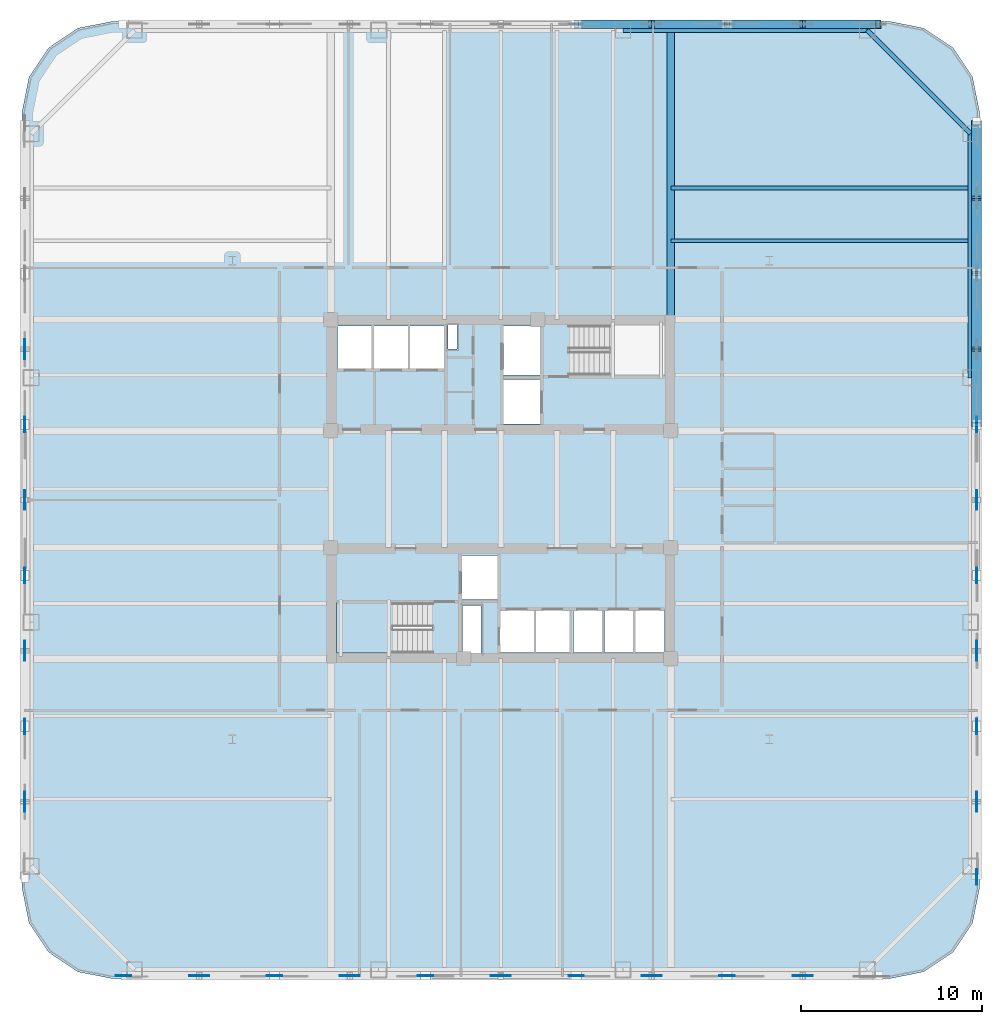
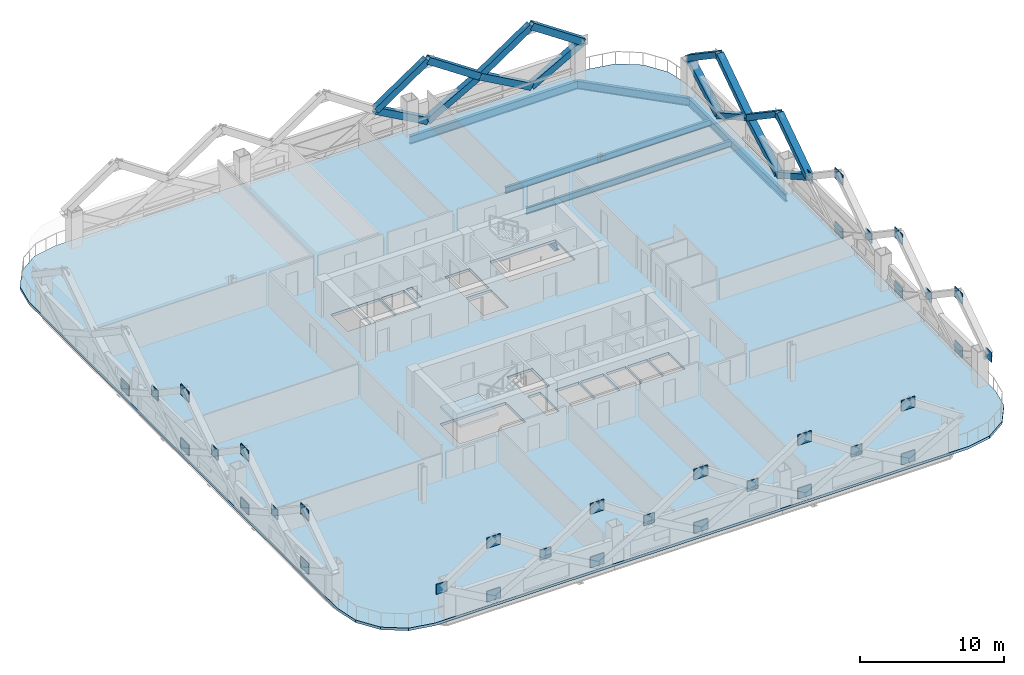
# One storey, part 3 of 14: 35 plates, 16 members, 6 beams, 2 slabs, 1 element without a shape of its own.
"""IFC4 building model written with IfcOpenShell, lengths in metres."""

from ifc_helpers import new_model, si_unit, direction, frame, origin, origin_2d, place, context, subcontext, project, spatial, polyline, rectangle, hollow_rectangle, i_section, outline, extrude, material, layer, layer_set, material_profile, profile_set, type_object, element, aggregate, save


model = new_model("IFC4")

# Units and contexts
model_context = context("Model", 3, precision=1e-05, world=origin(), true_north=direction((0.0, 1.0)))
body_context = subcontext(model_context, "Body", "Model", "MODEL_VIEW")
ifc_project = project(units=[si_unit("LENGTHUNIT", "METRE"), si_unit("AREAUNIT", "SQUARE_METRE"), si_unit("VOLUMEUNIT", "CUBIC_METRE"), si_unit("PLANEANGLEUNIT", "RADIAN"), si_unit("MASSUNIT", "GRAM", prefix="KILO")], contexts=[model_context])

# Site, building, storey
site_placement = place(None, origin())
site = spatial("IfcSite", under=ifc_project, at=site_placement, CompositionType="ELEMENT")
building_placement = place(site_placement, origin())
building = spatial("IfcBuilding", under=site, at=building_placement, Name="Qhalaya Broadcast Tower", CompositionType="ELEMENT")
storey_placement = place(building_placement, frame((0.0, 0.0, 38.300048828125)))
storey = spatial("IfcBuildingStorey", under=building, at=storey_placement, Name="L10", CompositionType="ELEMENT", Elevation=38.300048828125)

# Beams
ifc_material_1 = material(Name="Structural Steel ASTM A992 Grade 50", Category="steel")
ifc_material_profile_1 = material_profile(ifc_material_1, i_section(OverallWidth=0.2099609375, OverallDepth=0.535888671875, WebThickness=0.010986328125, FlangeThickness=0.017333984375, at=origin_2d()), Name="W21X68")
ifc_profile_set_1 = profile_set([ifc_material_profile_1], Name="Structural Steel ASTM A992 Grade 50")
beam_type_1 = type_object("IfcBeamType", Name="Composite Floor Joist J02", PredefinedType="JOIST", material=ifc_profile_set_1)
for number, where, z_axis, x_axis, name in (
    (1, (9.375, 14.300048828125, -0.488037109375), (1.0, 0.0, 0.0), (0.0, 1.0, 0.0), "L10 J02 L10-JWE6E-1"),
    (2, (9.375, 17.199951171875, -0.488037109375), (1.0, 0.0, 0.0), (0.0, 1.0, 0.0), "L10 J02 L10-JWE7E-1"),
):
    element("IfcBeam", number, at=place(storey_placement, frame(where, z_axis=z_axis, x_axis=x_axis)), inside=storey, type_object=beam_type_1, Name=name, PredefinedType="JOIST", context=body_context, shape_type="SweptSolid", body=[
        extrude(i_section(OverallWidth=0.2099609375, OverallDepth=0.535888671875, WebThickness=0.010986328125, FlangeThickness=0.017333984375, at=origin_2d()), origin(), (0.0, 0.0, 1.0), 16.5048828125),
    ])

# Members
ifc_material_2 = material(Name="Structural Steel ASTM A572 Grade 50", Category="steel")
ifc_material_profile_2 = material_profile(ifc_material_2, hollow_rectangle(XDim=0.449951171875, YDim=0.550048828125, WallThickness=0.031982421875, at=origin_2d()), Name="BOX 450x550x32")
ifc_profile_set_2 = profile_set([ifc_material_profile_2], Name="Structural Steel ASTM A572 Grade 50")
member_type = type_object("IfcMemberType", Name="Exoskeleton Diamond Diagonal Lower EX1", PredefinedType="BRACE", material=ifc_profile_set_2)
member_1_placement = place(storey_placement, frame((26.239990234375, 8.320068359375, 0.35986328125), z_axis=(0.0, -0.872471089532, 0.488665732306), x_axis=(0.0, 0.488665732306, 0.872471089532)))
element("IfcMember", 3, at=member_1_placement, inside=storey, type_object=member_type, Name="B1 Exoskeleton Diamond Brace E4-D1", PredefinedType="BRACE", context=body_context, shape_type="SweptSolid", body=[
    extrude(hollow_rectangle(XDim=0.449951171875, YDim=0.550048828125, WallThickness=0.031982421875, at=origin_2d()), origin(), (0.0, 0.0, 1.0), 4.768310546875),
])
member_2_placement = place(storey_placement, frame((26.239990234375, 8.320068359375, 0.35986328125), z_axis=(0.0, 0.872458862126, 0.488687562658), x_axis=(0.0, -0.488687562658, 0.872458862126)))
element("IfcMember", 4, at=member_2_placement, inside=storey, type_object=member_type, Name="B1 Exoskeleton Diamond Brace E4-D2", PredefinedType="BRACE", context=body_context, shape_type="SweptSolid", body=[
    extrude(hollow_rectangle(XDim=0.449951171875, YDim=0.550048828125, WallThickness=0.031982421875, at=origin_2d()), origin(), (0.0, 0.0, 1.0), 4.76806640625),
])
member_3_placement = place(storey_placement, frame((26.239990234375, 4.159912109375, 2.68994140625), z_axis=(0.0, 0.828668223168, 0.559740096752), x_axis=(0.0, -0.559740096752, 0.828668223168)))
element("IfcMember", 5, at=member_3_placement, inside=storey, type_object=member_type, Name="B1 Exoskeleton Diamond Brace E4-D3", PredefinedType="BRACE", context=body_context, shape_type="SweptSolid", body=[
    extrude(hollow_rectangle(XDim=0.449951171875, YDim=0.550048828125, WallThickness=0.031982421875, at=origin_2d()), origin(), (0.0, 0.0, 1.0), 5.020263671875),
])
member_4_placement = place(storey_placement, frame((26.239990234375, 12.47998046875, 2.68994140625), z_axis=(0.0, -0.828652985792, 0.559762654291), x_axis=(0.0, 0.559762654291, 0.828652985792)))
element("IfcMember", 6, at=member_4_placement, inside=storey, type_object=member_type, Name="B1 Exoskeleton Diamond Brace E4-D4", PredefinedType="BRACE", context=body_context, shape_type="SweptSolid", body=[
    extrude(hollow_rectangle(XDim=0.449951171875, YDim=0.550048828125, WallThickness=0.031982421875, at=origin_2d()), origin(), (0.0, 0.0, 1.0), 5.02001953125),
])
member_5_placement = place(storey_placement, frame((26.239990234375, 16.639892578125, 0.35986328125), z_axis=(0.0, -0.872458862126, 0.488687562658), x_axis=(0.0, 0.488687562658, 0.872458862126)))
element("IfcMember", 7, at=member_5_placement, inside=storey, type_object=member_type, Name="B1 Exoskeleton Diamond Brace E5-D1", PredefinedType="BRACE", context=body_context, shape_type="SweptSolid", body=[
    extrude(hollow_rectangle(XDim=0.449951171875, YDim=0.550048828125, WallThickness=0.031982421875, at=origin_2d()), origin(), (0.0, 0.0, 1.0), 4.76806640625),
])
member_6_placement = place(storey_placement, frame((26.239990234375, 16.639892578125, 0.35986328125), z_axis=(0.0, 0.872471089532, 0.488665732306), x_axis=(0.0, -0.488665732306, 0.872471089532)))
element("IfcMember", 8, at=member_6_placement, inside=storey, type_object=member_type, Name="B1 Exoskeleton Diamond Brace E5-D2", PredefinedType="BRACE", context=body_context, shape_type="SweptSolid", body=[
    extrude(hollow_rectangle(XDim=0.449951171875, YDim=0.550048828125, WallThickness=0.031982421875, at=origin_2d()), origin(), (0.0, 0.0, 1.0), 4.768310546875),
])
member_7_placement = place(storey_placement, frame((26.239990234375, 12.47998046875, 2.68994140625), z_axis=(0.0, 0.828652985792, 0.559762654291), x_axis=(0.0, -0.559762654291, 0.828652985792)))
element("IfcMember", 9, at=member_7_placement, inside=storey, type_object=member_type, Name="B1 Exoskeleton Diamond Brace E5-D3", PredefinedType="BRACE", context=body_context, shape_type="SweptSolid", body=[
    extrude(hollow_rectangle(XDim=0.449951171875, YDim=0.550048828125, WallThickness=0.031982421875, at=origin_2d()), origin(), (0.0, 0.0, 1.0), 5.02001953125),
])
member_8_placement = place(storey_placement, frame((26.239990234375, 20.800048828125, 2.68994140625), z_axis=(0.0, -0.828668223168, 0.559740096752), x_axis=(0.0, 0.559740096752, 0.828668223168)))
element("IfcMember", 10, at=member_8_placement, inside=storey, type_object=member_type, Name="B1 Exoskeleton Diamond Brace E5-D4", PredefinedType="BRACE", context=body_context, shape_type="SweptSolid", body=[
    extrude(hollow_rectangle(XDim=0.449951171875, YDim=0.550048828125, WallThickness=0.031982421875, at=origin_2d()), origin(), (0.0, 0.0, 1.0), 5.020263671875),
])
member_9_placement = place(storey_placement, frame((16.639892578125, 26.239990234375, 0.35986328125), z_axis=(0.872471089532, 0.0, 0.488665732306), x_axis=(0.0, 1.0, 0.0)))
element("IfcMember", 11, at=member_9_placement, inside=storey, type_object=member_type, Name="B1 Exoskeleton Diamond Brace N1-D1", PredefinedType="BRACE", context=body_context, shape_type="SweptSolid", body=[
    extrude(hollow_rectangle(XDim=0.449951171875, YDim=0.550048828125, WallThickness=0.031982421875, at=origin_2d()), origin(), (0.0, 0.0, 1.0), 4.768310546875),
])
member_10_placement = place(storey_placement, frame((16.639892578125, 26.239990234375, 0.35986328125), z_axis=(-0.872458862126, 0.0, 0.488687562658), x_axis=(0.0, -1.0, 0.0)))
element("IfcMember", 12, at=member_10_placement, inside=storey, type_object=member_type, Name="B1 Exoskeleton Diamond Brace N1-D2", PredefinedType="BRACE", context=body_context, shape_type="SweptSolid", body=[
    extrude(hollow_rectangle(XDim=0.449951171875, YDim=0.550048828125, WallThickness=0.031982421875, at=origin_2d()), origin(), (0.0, 0.0, 1.0), 4.76806640625),
])
member_11_placement = place(storey_placement, frame((20.800048828125, 26.239990234375, 2.68994140625), z_axis=(-0.828668223168, 0.0, 0.559740096752), x_axis=(0.0, -1.0, 0.0)))
element("IfcMember", 13, at=member_11_placement, inside=storey, type_object=member_type, Name="B1 Exoskeleton Diamond Brace N1-D3", PredefinedType="BRACE", context=body_context, shape_type="SweptSolid", body=[
    extrude(hollow_rectangle(XDim=0.449951171875, YDim=0.550048828125, WallThickness=0.031982421875, at=origin_2d()), origin(), (0.0, 0.0, 1.0), 5.020263671875),
])
member_12_placement = place(storey_placement, frame((12.47998046875, 26.239990234375, 2.68994140625), z_axis=(0.828652985792, 0.0, 0.559762654291), x_axis=(0.0, 1.0, 0.0)))
element("IfcMember", 14, at=member_12_placement, inside=storey, type_object=member_type, Name="B1 Exoskeleton Diamond Brace N1-D4", PredefinedType="BRACE", context=body_context, shape_type="SweptSolid", body=[
    extrude(hollow_rectangle(XDim=0.449951171875, YDim=0.550048828125, WallThickness=0.031982421875, at=origin_2d()), origin(), (0.0, 0.0, 1.0), 5.02001953125),
])
member_13_placement = place(storey_placement, frame((8.320068359375, 26.239990234375, 0.35986328125), z_axis=(0.872458862126, 0.0, 0.488687562658), x_axis=(0.0, 1.0, 0.0)))
element("IfcMember", 15, at=member_13_placement, inside=storey, type_object=member_type, Name="B1 Exoskeleton Diamond Brace N2-D1", PredefinedType="BRACE", context=body_context, shape_type="SweptSolid", body=[
    extrude(hollow_rectangle(XDim=0.449951171875, YDim=0.550048828125, WallThickness=0.031982421875, at=origin_2d()), origin(), (0.0, 0.0, 1.0), 4.76806640625),
])
member_14_placement = place(storey_placement, frame((8.320068359375, 26.239990234375, 0.35986328125), z_axis=(-0.872471089532, 0.0, 0.488665732306), x_axis=(0.0, -1.0, 0.0)))
element("IfcMember", 16, at=member_14_placement, inside=storey, type_object=member_type, Name="B1 Exoskeleton Diamond Brace N2-D2", PredefinedType="BRACE", context=body_context, shape_type="SweptSolid", body=[
    extrude(hollow_rectangle(XDim=0.449951171875, YDim=0.550048828125, WallThickness=0.031982421875, at=origin_2d()), origin(), (0.0, 0.0, 1.0), 4.768310546875),
])
member_15_placement = place(storey_placement, frame((12.47998046875, 26.239990234375, 2.68994140625), z_axis=(-0.828652985792, 0.0, 0.559762654291), x_axis=(0.0, -1.0, 0.0)))
element("IfcMember", 17, at=member_15_placement, inside=storey, type_object=member_type, Name="B1 Exoskeleton Diamond Brace N2-D3", PredefinedType="BRACE", context=body_context, shape_type="SweptSolid", body=[
    extrude(hollow_rectangle(XDim=0.449951171875, YDim=0.550048828125, WallThickness=0.031982421875, at=origin_2d()), origin(), (0.0, 0.0, 1.0), 5.02001953125),
])
member_16_placement = place(storey_placement, frame((4.159912109375, 26.239990234375, 2.68994140625), z_axis=(0.828668223168, 0.0, 0.559740096752), x_axis=(0.0, 1.0, 0.0)))
element("IfcMember", 18, at=member_16_placement, inside=storey, type_object=member_type, Name="B1 Exoskeleton Diamond Brace N2-D4", PredefinedType="BRACE", context=body_context, shape_type="SweptSolid", body=[
    extrude(hollow_rectangle(XDim=0.449951171875, YDim=0.550048828125, WallThickness=0.031982421875, at=origin_2d()), origin(), (0.0, 0.0, 1.0), 5.020263671875),
])

# Beams
ifc_material_profile_3 = material_profile(ifc_material_1, i_section(OverallWidth=0.40087890625, OverallDepth=1.010986328125, WebThickness=0.023681640625, FlangeThickness=0.0419921875, at=origin_2d()), Name="W40X297")
ifc_profile_set_3 = profile_set([ifc_material_profile_3], Name="Structural Steel ASTM A992 Grade 50")
beam_type_2 = type_object("IfcBeamType", Name="Lower Block Primary Girder PG2", PredefinedType="USERDEFINED", material=ifc_profile_set_3)
beam_1_placement = place(storey_placement, frame((9.375, 9.949951171875, -0.7255859375), z_axis=(0.0, 1.0, 0.0), x_axis=(-1.0, 0.0, 0.0)))
element("IfcBeam", 19, at=beam_1_placement, inside=storey, type_object=beam_type_2, Name="L10 PG2 L10-PGXN2-1", ObjectType="GIRDER", PredefinedType="USERDEFINED", context=body_context, shape_type="SweptSolid", body=[
    extrude(i_section(OverallWidth=0.40087890625, OverallDepth=1.010986328125, WebThickness=0.023681640625, FlangeThickness=0.0419921875, at=origin_2d()), origin(), (0.0, 0.0, 1.0), 15.929931640625),
])
ifc_material_profile_4 = material_profile(ifc_material_1, i_section(OverallWidth=0.25390625, OverallDepth=0.68310546875, WebThickness=0.012451171875, FlangeThickness=0.01904296875, at=origin_2d()), Name="W27X94")
ifc_profile_set_4 = profile_set([ifc_material_profile_4], Name="Structural Steel ASTM A992 Grade 50")
beam_type_3 = type_object("IfcBeamType", Name="Perimeter Ring Spandrel Beam SP1", PredefinedType="SPANDREL", material=ifc_profile_set_4)
beam_2_placement = place(storey_placement, frame((25.89990234375, 6.7333984375, -0.5615234375), z_axis=(0.0, 1.0, 0.0), x_axis=(-1.0, 0.0, 0.0)))
element("IfcBeam", 20, at=beam_2_placement, inside=storey, type_object=beam_type_3, Name="L10 SP1 L10-SPR-07", PredefinedType="SPANDREL", context=body_context, shape_type="SweptSolid", body=[
    extrude(i_section(OverallWidth=0.25390625, OverallDepth=0.68310546875, WebThickness=0.012451171875, FlangeThickness=0.01904296875, at=origin_2d()), origin(), (0.0, 0.0, 1.0), 13.466552734375),
])
beam_3_placement = place(storey_placement, frame((25.89990234375, 20.199951171875, -0.5615234375), z_axis=(-0.707106781187, 0.707106781187, 0.0), x_axis=(-0.707106781187, -0.707106781187, 0.0)))
element("IfcBeam", 21, at=beam_3_placement, inside=storey, type_object=beam_type_3, Name="L10 SP1 L10-SPR-08", PredefinedType="SPANDREL", context=body_context, shape_type="SweptSolid", body=[
    extrude(i_section(OverallWidth=0.25390625, OverallDepth=0.68310546875, WebThickness=0.012451171875, FlangeThickness=0.01904296875, at=origin_2d()), origin(), (0.0, 0.0, 1.0), 8.06103515625),
])
beam_4_placement = place(storey_placement, frame((20.199951171875, 25.89990234375, -0.5615234375), z_axis=(-1.0, 0.0, 0.0), x_axis=(0.0, -1.0, 0.0)))
element("IfcBeam", 22, at=beam_4_placement, inside=storey, type_object=beam_type_3, Name="L10 SP1 L10-SPR-09", PredefinedType="SPANDREL", context=body_context, shape_type="SweptSolid", body=[
    extrude(i_section(OverallWidth=0.25390625, OverallDepth=0.68310546875, WebThickness=0.012451171875, FlangeThickness=0.01904296875, at=origin_2d()), origin(), (0.0, 0.0, 1.0), 13.466552734375),
])

# Plates
ifc_layer_1 = layer(ifc_material_2, 0.054931640625, Name="Structural Steel ASTM A572 Grade 50")
ifc_layer_set_1 = layer_set([ifc_layer_1], Name="Structural Steel ASTM A572 Grade 50")
plate_type = type_object("IfcPlateType", Name="Exoskeleton Diamond Node Gusset Plate NP-01", PredefinedType="USERDEFINED", material=ifc_layer_set_1)
for number, where, z_axis, x_axis, name in (
    (23, (-16.639892578125, -26.239990234375, 0.2099609375), (0.0, 0.0, 1.0), (1.0, 0.0, 0.0), "Exoskeleton Diamond Node B1-S1-BOT"),
    (24, (-16.639892578125, -26.239990234375, 4.75), (0.0, 0.0, 1.0), (1.0, 0.0, 0.0), "Exoskeleton Diamond Node B1-S1-TOP"),
):
    element("IfcPlate", number, at=place(storey_placement, frame(where, z_axis=z_axis, x_axis=x_axis)), inside=storey, type_object=plate_type, Name=name, ObjectType="GUSSET_PLATE", PredefinedType="USERDEFINED", context=body_context, shape_type="SweptSolid", body=[
        extrude(rectangle(XDim=1.10009765625, YDim=0.054931640625, at=origin_2d()), origin(), (0.0, 0.0, 1.0), 0.89990234375),
    ])
plate_1_placement = place(storey_placement, frame((-20.800048828125, -26.239990234375, 2.264892578125), z_axis=(0.0, 0.0, 1.0), x_axis=(1.0, 0.0, 0.0)))
element("IfcPlate", 25, at=plate_1_placement, inside=storey, type_object=plate_type, Name="Exoskeleton Diamond Node B1-S1-MDL", ObjectType="GUSSET_PLATE", PredefinedType="USERDEFINED", context=body_context, shape_type="SweptSolid", body=[
    extrude(rectangle(XDim=0.85009765625, YDim=0.054931640625, at=origin_2d()), origin(), (0.0, 0.0, 1.0), 0.85009765625),
])
for number, where, z_axis, x_axis, name in (
    (26, (-8.320068359375, -26.239990234375, 0.2099609375), (0.0, 0.0, 1.0), (1.0, 0.0, 0.0), "Exoskeleton Diamond Node B1-S2-BOT"),
    (27, (-8.320068359375, -26.239990234375, 4.75), (0.0, 0.0, 1.0), (1.0, 0.0, 0.0), "Exoskeleton Diamond Node B1-S2-TOP"),
):
    element("IfcPlate", number, at=place(storey_placement, frame(where, z_axis=z_axis, x_axis=x_axis)), inside=storey, type_object=plate_type, Name=name, ObjectType="GUSSET_PLATE", PredefinedType="USERDEFINED", context=body_context, shape_type="SweptSolid", body=[
        extrude(rectangle(XDim=1.10009765625, YDim=0.054931640625, at=origin_2d()), origin(), (0.0, 0.0, 1.0), 0.89990234375),
    ])
plate_2_placement = place(storey_placement, frame((-12.47998046875, -26.239990234375, 2.264892578125), z_axis=(0.0, 0.0, 1.0), x_axis=(1.0, 0.0, 0.0)))
element("IfcPlate", 28, at=plate_2_placement, inside=storey, type_object=plate_type, Name="Exoskeleton Diamond Node B1-S2-MDL", ObjectType="GUSSET_PLATE", PredefinedType="USERDEFINED", context=body_context, shape_type="SweptSolid", body=[
    extrude(rectangle(XDim=0.85009765625, YDim=0.054931640625, at=origin_2d()), origin(), (0.0, 0.0, 1.0), 0.85009765625),
])
for number, where, z_axis, x_axis, name in (
    (29, (0.0, -26.239990234375, 0.2099609375), (0.0, 0.0, 1.0), (1.0, 0.0, 0.0), "Exoskeleton Diamond Node B1-S3-BOT"),
    (30, (0.0, -26.239990234375, 4.75), (0.0, 0.0, 1.0), (1.0, 0.0, 0.0), "Exoskeleton Diamond Node B1-S3-TOP"),
):
    element("IfcPlate", number, at=place(storey_placement, frame(where, z_axis=z_axis, x_axis=x_axis)), inside=storey, type_object=plate_type, Name=name, ObjectType="GUSSET_PLATE", PredefinedType="USERDEFINED", context=body_context, shape_type="SweptSolid", body=[
        extrude(rectangle(XDim=1.10009765625, YDim=0.054931640625, at=origin_2d()), origin(), (0.0, 0.0, 1.0), 0.89990234375),
    ])
plate_3_placement = place(storey_placement, frame((-4.159912109375, -26.239990234375, 2.264892578125), z_axis=(0.0, 0.0, 1.0), x_axis=(1.0, 0.0, 0.0)))
element("IfcPlate", 31, at=plate_3_placement, inside=storey, type_object=plate_type, Name="Exoskeleton Diamond Node B1-S3-MDL", ObjectType="GUSSET_PLATE", PredefinedType="USERDEFINED", context=body_context, shape_type="SweptSolid", body=[
    extrude(rectangle(XDim=0.85009765625, YDim=0.054931640625, at=origin_2d()), origin(), (0.0, 0.0, 1.0), 0.85009765625),
])
for number, where, z_axis, x_axis, name in (
    (32, (8.320068359375, -26.239990234375, 0.2099609375), (0.0, 0.0, 1.0), (1.0, 0.0, 0.0), "Exoskeleton Diamond Node B1-S4-BOT"),
    (33, (8.320068359375, -26.239990234375, 4.75), (0.0, 0.0, 1.0), (1.0, 0.0, 0.0), "Exoskeleton Diamond Node B1-S4-TOP"),
):
    element("IfcPlate", number, at=place(storey_placement, frame(where, z_axis=z_axis, x_axis=x_axis)), inside=storey, type_object=plate_type, Name=name, ObjectType="GUSSET_PLATE", PredefinedType="USERDEFINED", context=body_context, shape_type="SweptSolid", body=[
        extrude(rectangle(XDim=1.10009765625, YDim=0.054931640625, at=origin_2d()), origin(), (0.0, 0.0, 1.0), 0.89990234375),
    ])
plate_4_placement = place(storey_placement, frame((4.159912109375, -26.239990234375, 2.264892578125), z_axis=(0.0, 0.0, 1.0), x_axis=(1.0, 0.0, 0.0)))
element("IfcPlate", 34, at=plate_4_placement, inside=storey, type_object=plate_type, Name="Exoskeleton Diamond Node B1-S4-MDL", ObjectType="GUSSET_PLATE", PredefinedType="USERDEFINED", context=body_context, shape_type="SweptSolid", body=[
    extrude(rectangle(XDim=0.85009765625, YDim=0.054931640625, at=origin_2d()), origin(), (0.0, 0.0, 1.0), 0.85009765625),
])
for number, where, z_axis, x_axis, name in (
    (35, (16.639892578125, -26.239990234375, 0.2099609375), (0.0, 0.0, 1.0), (1.0, 0.0, 0.0), "Exoskeleton Diamond Node B1-S5-BOT"),
    (36, (16.639892578125, -26.239990234375, 4.75), (0.0, 0.0, 1.0), (1.0, 0.0, 0.0), "Exoskeleton Diamond Node B1-S5-TOP"),
):
    element("IfcPlate", number, at=place(storey_placement, frame(where, z_axis=z_axis, x_axis=x_axis)), inside=storey, type_object=plate_type, Name=name, ObjectType="GUSSET_PLATE", PredefinedType="USERDEFINED", context=body_context, shape_type="SweptSolid", body=[
        extrude(rectangle(XDim=1.10009765625, YDim=0.054931640625, at=origin_2d()), origin(), (0.0, 0.0, 1.0), 0.89990234375),
    ])
plate_5_placement = place(storey_placement, frame((12.47998046875, -26.239990234375, 2.264892578125), z_axis=(0.0, 0.0, 1.0), x_axis=(1.0, 0.0, 0.0)))
element("IfcPlate", 37, at=plate_5_placement, inside=storey, type_object=plate_type, Name="Exoskeleton Diamond Node B1-S5-MDL", ObjectType="GUSSET_PLATE", PredefinedType="USERDEFINED", context=body_context, shape_type="SweptSolid", body=[
    extrude(rectangle(XDim=0.85009765625, YDim=0.054931640625, at=origin_2d()), origin(), (0.0, 0.0, 1.0), 0.85009765625),
])
for number, where, z_axis, x_axis, name in (
    (38, (26.239990234375, -16.639892578125, 0.2099609375), (0.0, 0.0, 1.0), (0.0, 1.0, 0.0), "Exoskeleton Diamond Node B1-E1-BOT"),
    (39, (26.239990234375, -16.639892578125, 4.75), (0.0, 0.0, 1.0), (0.0, 1.0, 0.0), "Exoskeleton Diamond Node B1-E1-TOP"),
):
    element("IfcPlate", number, at=place(storey_placement, frame(where, z_axis=z_axis, x_axis=x_axis)), inside=storey, type_object=plate_type, Name=name, ObjectType="GUSSET_PLATE", PredefinedType="USERDEFINED", context=body_context, shape_type="SweptSolid", body=[
        extrude(rectangle(XDim=1.10009765625, YDim=0.054931640625, at=origin_2d()), origin(), (0.0, 0.0, 1.0), 0.89990234375),
    ])
plate_6_placement = place(storey_placement, frame((26.239990234375, -20.800048828125, 2.264892578125), z_axis=(0.0, 0.0, 1.0), x_axis=(0.0, 1.0, 0.0)))
element("IfcPlate", 40, at=plate_6_placement, inside=storey, type_object=plate_type, Name="Exoskeleton Diamond Node B1-E1-MDL", ObjectType="GUSSET_PLATE", PredefinedType="USERDEFINED", context=body_context, shape_type="SweptSolid", body=[
    extrude(rectangle(XDim=0.85009765625, YDim=0.054931640625, at=origin_2d()), origin(), (0.0, 0.0, 1.0), 0.85009765625),
])
for number, where, z_axis, x_axis, name in (
    (41, (26.239990234375, -8.320068359375, 0.2099609375), (0.0, 0.0, 1.0), (0.0, 1.0, 0.0), "Exoskeleton Diamond Node B1-E2-BOT"),
    (42, (26.239990234375, -8.320068359375, 4.75), (0.0, 0.0, 1.0), (0.0, 1.0, 0.0), "Exoskeleton Diamond Node B1-E2-TOP"),
):
    element("IfcPlate", number, at=place(storey_placement, frame(where, z_axis=z_axis, x_axis=x_axis)), inside=storey, type_object=plate_type, Name=name, ObjectType="GUSSET_PLATE", PredefinedType="USERDEFINED", context=body_context, shape_type="SweptSolid", body=[
        extrude(rectangle(XDim=1.10009765625, YDim=0.054931640625, at=origin_2d()), origin(), (0.0, 0.0, 1.0), 0.89990234375),
    ])
plate_7_placement = place(storey_placement, frame((26.239990234375, -12.47998046875, 2.264892578125), z_axis=(0.0, 0.0, 1.0), x_axis=(0.0, 1.0, 0.0)))
element("IfcPlate", 43, at=plate_7_placement, inside=storey, type_object=plate_type, Name="Exoskeleton Diamond Node B1-E2-MDL", ObjectType="GUSSET_PLATE", PredefinedType="USERDEFINED", context=body_context, shape_type="SweptSolid", body=[
    extrude(rectangle(XDim=0.85009765625, YDim=0.054931640625, at=origin_2d()), origin(), (0.0, 0.0, 1.0), 0.85009765625),
])
for number, where, z_axis, x_axis, name in (
    (44, (26.239990234375, 0.0, 0.2099609375), (0.0, 0.0, 1.0), (0.0, 1.0, 0.0), "Exoskeleton Diamond Node B1-E3-BOT"),
    (45, (26.239990234375, 0.0, 4.75), (0.0, 0.0, 1.0), (0.0, 1.0, 0.0), "Exoskeleton Diamond Node B1-E3-TOP"),
):
    element("IfcPlate", number, at=place(storey_placement, frame(where, z_axis=z_axis, x_axis=x_axis)), inside=storey, type_object=plate_type, Name=name, ObjectType="GUSSET_PLATE", PredefinedType="USERDEFINED", context=body_context, shape_type="SweptSolid", body=[
        extrude(rectangle(XDim=1.10009765625, YDim=0.054931640625, at=origin_2d()), origin(), (0.0, 0.0, 1.0), 0.89990234375),
    ])
for number, where, z_axis, x_axis, name in (
    (46, (26.239990234375, -4.159912109375, 2.264892578125), (0.0, 0.0, 1.0), (0.0, 1.0, 0.0), "Exoskeleton Diamond Node B1-E3-MDL"),
    (47, (26.239990234375, 4.159912109375, 2.264892578125), (0.0, 0.0, 1.0), (0.0, 1.0, 0.0), "Exoskeleton Diamond Node B1-E4-MDL"),
):
    element("IfcPlate", number, at=place(storey_placement, frame(where, z_axis=z_axis, x_axis=x_axis)), inside=storey, type_object=plate_type, Name=name, ObjectType="GUSSET_PLATE", PredefinedType="USERDEFINED", context=body_context, shape_type="SweptSolid", body=[
        extrude(rectangle(XDim=0.85009765625, YDim=0.054931640625, at=origin_2d()), origin(), (0.0, 0.0, 1.0), 0.85009765625),
    ])
for number, where, z_axis, x_axis, name in (
    (48, (-26.239990234375, 8.320068359375, 0.2099609375), (0.0, 0.0, 1.0), (0.0, 1.0, 0.0), "Exoskeleton Diamond Node B1-W2-BOT"),
    (49, (-26.239990234375, 0.0, 0.2099609375), (0.0, 0.0, 1.0), (0.0, 1.0, 0.0), "Exoskeleton Diamond Node B1-W3-BOT"),
    (50, (-26.239990234375, 0.0, 4.75), (0.0, 0.0, 1.0), (0.0, 1.0, 0.0), "Exoskeleton Diamond Node B1-W3-TOP"),
):
    element("IfcPlate", number, at=place(storey_placement, frame(where, z_axis=z_axis, x_axis=x_axis)), inside=storey, type_object=plate_type, Name=name, ObjectType="GUSSET_PLATE", PredefinedType="USERDEFINED", context=body_context, shape_type="SweptSolid", body=[
        extrude(rectangle(XDim=1.10009765625, YDim=0.054931640625, at=origin_2d()), origin(), (0.0, 0.0, 1.0), 0.89990234375),
    ])
plate_8_placement = place(storey_placement, frame((-26.239990234375, 4.159912109375, 2.264892578125), z_axis=(0.0, 0.0, 1.0), x_axis=(0.0, 1.0, 0.0)))
element("IfcPlate", 51, at=plate_8_placement, inside=storey, type_object=plate_type, Name="Exoskeleton Diamond Node B1-W3-MDL", ObjectType="GUSSET_PLATE", PredefinedType="USERDEFINED", context=body_context, shape_type="SweptSolid", body=[
    extrude(rectangle(XDim=0.85009765625, YDim=0.054931640625, at=origin_2d()), origin(), (0.0, 0.0, 1.0), 0.85009765625),
])
for number, where, z_axis, x_axis, name in (
    (52, (-26.239990234375, -8.320068359375, 0.2099609375), (0.0, 0.0, 1.0), (0.0, 1.0, 0.0), "Exoskeleton Diamond Node B1-W4-BOT"),
    (53, (-26.239990234375, -8.320068359375, 4.75), (0.0, 0.0, 1.0), (0.0, 1.0, 0.0), "Exoskeleton Diamond Node B1-W4-TOP"),
):
    element("IfcPlate", number, at=place(storey_placement, frame(where, z_axis=z_axis, x_axis=x_axis)), inside=storey, type_object=plate_type, Name=name, ObjectType="GUSSET_PLATE", PredefinedType="USERDEFINED", context=body_context, shape_type="SweptSolid", body=[
        extrude(rectangle(XDim=1.10009765625, YDim=0.054931640625, at=origin_2d()), origin(), (0.0, 0.0, 1.0), 0.89990234375),
    ])
plate_9_placement = place(storey_placement, frame((-26.239990234375, -4.159912109375, 2.264892578125), z_axis=(0.0, 0.0, 1.0), x_axis=(0.0, 1.0, 0.0)))
element("IfcPlate", 54, at=plate_9_placement, inside=storey, type_object=plate_type, Name="Exoskeleton Diamond Node B1-W4-MDL", ObjectType="GUSSET_PLATE", PredefinedType="USERDEFINED", context=body_context, shape_type="SweptSolid", body=[
    extrude(rectangle(XDim=0.85009765625, YDim=0.054931640625, at=origin_2d()), origin(), (0.0, 0.0, 1.0), 0.85009765625),
])
for number, where, z_axis, x_axis, name in (
    (55, (-26.239990234375, -16.639892578125, 0.2099609375), (0.0, 0.0, 1.0), (0.0, 1.0, 0.0), "Exoskeleton Diamond Node B1-W5-BOT"),
    (56, (-26.239990234375, -16.639892578125, 4.75), (0.0, 0.0, 1.0), (0.0, 1.0, 0.0), "Exoskeleton Diamond Node B1-W5-TOP"),
):
    element("IfcPlate", number, at=place(storey_placement, frame(where, z_axis=z_axis, x_axis=x_axis)), inside=storey, type_object=plate_type, Name=name, ObjectType="GUSSET_PLATE", PredefinedType="USERDEFINED", context=body_context, shape_type="SweptSolid", body=[
        extrude(rectangle(XDim=1.10009765625, YDim=0.054931640625, at=origin_2d()), origin(), (0.0, 0.0, 1.0), 0.89990234375),
    ])
plate_10_placement = place(storey_placement, frame((-26.239990234375, -12.47998046875, 2.264892578125), z_axis=(0.0, 0.0, 1.0), x_axis=(0.0, 1.0, 0.0)))
element("IfcPlate", 57, at=plate_10_placement, inside=storey, type_object=plate_type, Name="Exoskeleton Diamond Node B1-W5-MDL", ObjectType="GUSSET_PLATE", PredefinedType="USERDEFINED", context=body_context, shape_type="SweptSolid", body=[
    extrude(rectangle(XDim=0.85009765625, YDim=0.054931640625, at=origin_2d()), origin(), (0.0, 0.0, 1.0), 0.85009765625),
])

# Stair, slab
ifc_material_3 = material(Name="Concrete C40/50", Category="concrete")
stair_type = type_object("IfcStairType", Name="Protected Dogleg Core Stair 3150", PredefinedType="TWO_STRAIGHT_RUN_STAIR", material=ifc_material_3)
stair_placement = place(storey_placement, origin())
stair = element("IfcStair", 58, at=stair_placement, inside=storey, type_object=stair_type, Name="L10 South Core Exit Stair ST-2", PredefinedType="TWO_STRAIGHT_RUN_STAIR")
ifc_layer_2 = layer(ifc_material_3, 0.199951171875, Name="Concrete C40/50")
ifc_layer_set_2 = layer_set([ifc_layer_2], Name="Concrete C40/50")
slab_type_1 = type_object("IfcSlabType", Name="Stair & Ramp Half-Landing Slab 200", PredefinedType="LANDING", material=ifc_layer_set_2)
slab_1_placement = place(storey_placement, frame((0.0, 0.0, 1.324951171875)))
slab_1 = element("IfcSlab", 59, at=slab_1_placement, type_object=slab_type_1, Name="ST-2 landing 1", PredefinedType="LANDING", context=body_context, shape_type="SweptSolid", body=[
    extrude(outline(polyline([(-5.955078125, -5.679931640625), (-9.050048828125, -5.679931640625), (-9.050048828125, -8.43994140625), (-5.955078125, -8.43994140625), (-5.955078125, -5.679931640625)])), origin(), (0.0, 0.0, 1.0), 0.199951171875),
])
aggregate(stair, [slab_1])

# Slab
ifc_layer_3 = layer(ifc_material_3, 0.219970703125, Name="Concrete C40/50")
ifc_layer_set_3 = layer_set([ifc_layer_3], Name="Concrete C40/50")
slab_type_2 = type_object("IfcSlabType", Name="Tower Composite Floor Slab 220", PredefinedType="FLOOR", material=ifc_layer_set_3)
slab_2_placement = place(storey_placement, frame((0.0, 0.0, -0.219970703125)))
element("IfcSlab", 60, at=slab_2_placement, inside=storey, type_object=slab_type_2, Name="L10 Main Structural Floor Slab", PredefinedType="FLOOR", context=body_context, shape_type="SweptSolid", body=[
    extrude(outline(polyline([(21.39990234375, -26.39990234375), (23.3134765625, -26.019287109375), (24.935546875, -24.935546875), (26.019287109375, -23.3134765625), (26.39990234375, -21.39990234375), (26.39990234375, 21.39990234375), (26.019287109375, 23.3134765625), (24.935546875, 24.935546875), (23.3134765625, 26.019287109375), (21.39990234375, 26.39990234375), (-21.39990234375, 26.39990234375), (-23.3134765625, 26.019287109375), (-24.935546875, 24.935546875), (-26.019287109375, 23.3134765625), (-26.39990234375, 21.39990234375), (-26.39990234375, -21.39990234375), (-26.019287109375, -23.3134765625), (-24.935546875, -24.935546875), (-23.3134765625, -26.019287109375), (-21.39990234375, -26.39990234375), (21.39990234375, -26.39990234375)]), holes=[polyline([(3.784912109375, 9.639892578125), (9.050048828125, 9.639892578125), (9.050048828125, 6.8798828125), (3.784912109375, 6.8798828125), (3.784912109375, 9.639892578125)]), polyline([(-3.784912109375, -8.43994140625), (-9.050048828125, -8.43994140625), (-9.050048828125, -5.679931640625), (-3.784912109375, -5.679931640625), (-3.784912109375, -8.43994140625)]), polyline([(0.14990234375, 6.64990234375), (2.14990234375, 6.64990234375), (2.14990234375, 4.199951171875), (0.14990234375, 4.199951171875), (0.14990234375, 6.64990234375)]), polyline([(0.14990234375, 9.60009765625), (2.14990234375, 9.60009765625), (2.14990234375, 6.89990234375), (0.14990234375, 6.89990234375), (0.14990234375, 9.60009765625)]), polyline([(-2.14990234375, -3.050048828125), (-0.14990234375, -3.050048828125), (-0.14990234375, -5.5), (-2.14990234375, -5.5), (-2.14990234375, -3.050048828125)]), polyline([(-9.0, 9.60009765625), (-7.1201171875, 9.60009765625), (-7.1201171875, 7.25), (-9.0, 7.25), (-9.0, 9.60009765625)]), polyline([(-7.0, 9.60009765625), (-5.1201171875, 9.60009765625), (-5.1201171875, 7.25), (-7.0, 7.25), (-7.0, 9.60009765625)]), polyline([(-5.0, 9.60009765625), (-3.1201171875, 9.60009765625), (-3.1201171875, 7.25), (-5.0, 7.25), (-5.0, 9.60009765625)]), polyline([(-0.050048828125, -6.10009765625), (1.830078125, -6.10009765625), (1.830078125, -8.39990234375), (-0.050048828125, -8.39990234375), (-0.050048828125, -6.10009765625)]), polyline([(1.949951171875, -6.10009765625), (3.830078125, -6.10009765625), (3.830078125, -8.39990234375), (1.949951171875, -8.39990234375), (1.949951171875, -6.10009765625)]), polyline([(4.0, -6.10009765625), (5.60009765625, -6.10009765625), (5.60009765625, -8.39990234375), (4.0, -8.39990234375), (4.0, -6.10009765625)]), polyline([(5.719970703125, -6.10009765625), (7.320068359375, -6.10009765625), (7.320068359375, -8.39990234375), (5.719970703125, -8.39990234375), (5.719970703125, -6.10009765625)]), polyline([(7.43994140625, -6.10009765625), (9.0400390625, -6.10009765625), (9.0400390625, -8.39990234375), (7.43994140625, -8.39990234375), (7.43994140625, -6.10009765625)]), polyline([(-2.919921875, 9.659912109375), (-2.419921875, 9.659912109375), (-2.419921875, 8.320068359375), (-2.919921875, 8.320068359375), (-2.919921875, 9.659912109375)]), polyline([(-2.1201171875, -5.820068359375), (-1.080078125, -5.820068359375), (-1.080078125, -8.4599609375), (-2.1201171875, -8.4599609375), (-2.1201171875, -5.820068359375)])]), origin(), (0.0, 0.0, 1.0), 0.219970703125),
])

save(model, "model.ifc")
